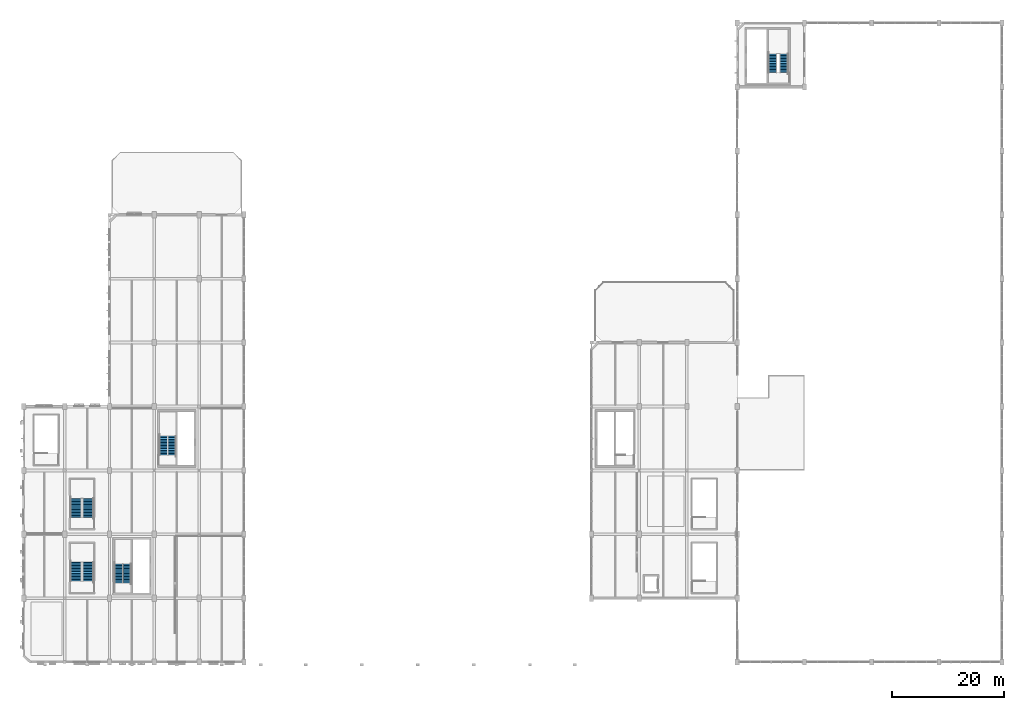
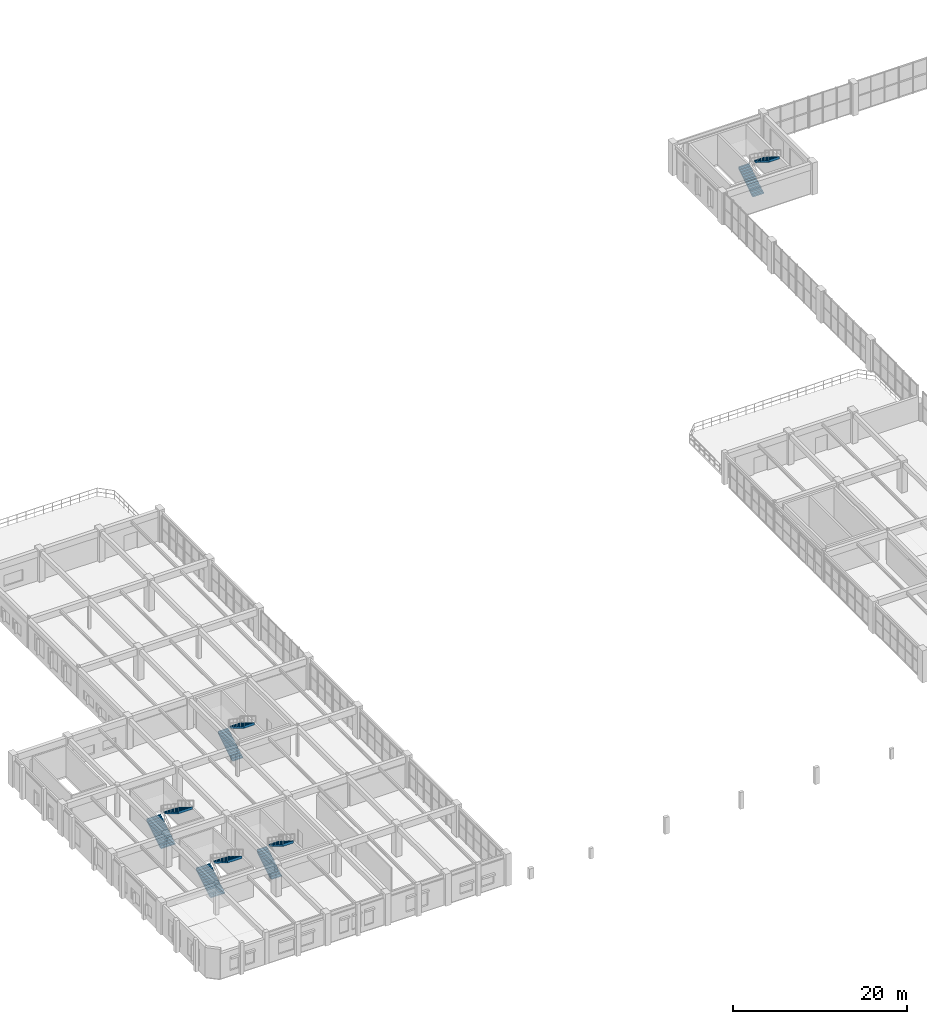
# One storey, part 70 of 80: 10 stair flights, 5 elements without a shape of their own.
"""IFC4 building model written with IfcOpenShell, lengths in metres."""

from ifc_helpers import new_model, si_unit, direction, frame, origin, place, context, subcontext, project, spatial, polyline, outline, extrude, material, type_object, element, aggregate, save


model = new_model("IFC4")

# Units and contexts
model_context = context("Model", 3, precision=1e-05, world=origin(), true_north=direction((0.0, 1.0)))
body_context = subcontext(model_context, "Body", "Model", "MODEL_VIEW")
ifc_project = project(units=[si_unit("LENGTHUNIT", "METRE"), si_unit("AREAUNIT", "SQUARE_METRE"), si_unit("VOLUMEUNIT", "CUBIC_METRE"), si_unit("PLANEANGLEUNIT", "RADIAN"), si_unit("MASSUNIT", "GRAM", prefix="KILO"), si_unit("POWERUNIT", "WATT"), si_unit("THERMODYNAMICTEMPERATUREUNIT", "KELVIN")], contexts=[model_context])

# Site, building, storey
site_placement = place(None, origin())
site = spatial("IfcSite", under=ifc_project, at=site_placement, CompositionType="ELEMENT")
building_placement = place(site_placement, origin())
building = spatial("IfcBuilding", under=site, at=building_placement, Name="Kelmbourne Parkland Aquatics Centre", CompositionType="ELEMENT")
storey_placement = place(building_placement, frame((0.0, 0.0, 10.199951171875)))
storey = spatial("IfcBuildingStorey", under=building, at=storey_placement, Name="L02", CompositionType="ELEMENT", Elevation=10.199951171875)

# Stair, stair flights
ifc_material = material(Name="Concrete C40/50", Category="concrete")
stair_type_1 = type_object("IfcStairType", Name="ST-T04", PredefinedType="HALF_TURN_STAIR", material=ifc_material)
stair_1_placement = place(storey_placement, origin())
stair_1 = element("IfcStair", 1, at=stair_1_placement, inside=storey, type_object=stair_type_1, Name="West Wing South Fire-Fighting Core Stair ST01 (L02)", PredefinedType="HALF_TURN_STAIR")
stair_flight_type_1 = type_object("IfcStairFlightType", Name="STF-T04", PredefinedType="STRAIGHT", material=ifc_material)
stair_flight_1_placement = place(storey_placement, frame((17.61376953125, 14.949951171875, 0.0), z_axis=(0.0, 0.0, 1.0), x_axis=(0.0, 1.0, 0.0)))
stair_flight_1 = element("IfcStairFlight", 2, at=stair_flight_1_placement, type_object=stair_flight_type_1, Name="West Wing South Fire-Fighting Core Stair ST01 lower flight (L02)", NumberOfRisers=13, NumberOfTreads=12, PredefinedType="STRAIGHT", RiserHeight=0.173077, TreadLength=0.28, context=body_context, shape_type="SweptSolid", body=[
    extrude(outline(polyline([(-0.008056640625, 0.0), (-0.008056640625, 0.034912109375), (0.0, 0.034912109375), (0.0, 0.173095703125), (0.280029296875, 0.173095703125), (0.280029296875, 0.34619140625), (0.56005859375, 0.34619140625), (0.56005859375, 0.519287109375), (0.840087890625, 0.519287109375), (0.840087890625, 0.6923828125), (1.1201171875, 0.6923828125), (1.1201171875, 0.865478515625), (1.39990234375, 0.865478515625), (1.39990234375, 1.03857421875), (1.679931640625, 1.03857421875), (1.679931640625, 1.21142578125), (1.9599609375, 1.21142578125), (1.9599609375, 1.384521484375), (2.239990234375, 1.384521484375), (2.239990234375, 1.5576171875), (2.52001953125, 1.5576171875), (2.52001953125, 1.730712890625), (2.800048828125, 1.730712890625), (2.800048828125, 1.90380859375), (3.080078125, 1.90380859375), (3.080078125, 2.076904296875), (3.360107421875, 2.076904296875), (3.360107421875, 2.25), (3.367919921875, 2.25), (3.367919921875, 2.110107421875), (3.360107421875, 1.888916015625), (0.30419921875, 0.0), (-0.008056640625, 0.0)])), frame((0.0, 0.69384765625, 0.0), z_axis=(0.0, -1.0, 0.0), x_axis=(1.0, 0.0, 0.0)), (0.0, 0.0, 1.0), 1.387451171875),
])
stair_flight_2_placement = place(storey_placement, frame((19.1611328125, 18.31005859375, 2.25), z_axis=(0.0, 0.0, 1.0), x_axis=(0.0, -1.0, 0.0)))
stair_flight_2 = element("IfcStairFlight", 3, at=stair_flight_2_placement, type_object=stair_flight_type_1, Name="West Wing South Fire-Fighting Core Stair ST01 upper flight (L02)", NumberOfRisers=13, NumberOfTreads=12, PredefinedType="STRAIGHT", RiserHeight=0.173077, TreadLength=0.28, context=body_context, shape_type="SweptSolid", body=[
    extrude(outline(polyline([(-0.008056640625, 0.0), (-0.008056640625, 0.034912109375), (0.0, 0.034912109375), (0.0, 0.173095703125), (0.280029296875, 0.173095703125), (0.280029296875, 0.34619140625), (0.56005859375, 0.34619140625), (0.56005859375, 0.519287109375), (0.840087890625, 0.519287109375), (0.840087890625, 0.6923828125), (1.1201171875, 0.6923828125), (1.1201171875, 0.865478515625), (1.39990234375, 0.865478515625), (1.39990234375, 1.03857421875), (1.679931640625, 1.03857421875), (1.679931640625, 1.21142578125), (1.9599609375, 1.21142578125), (1.9599609375, 1.384521484375), (2.239990234375, 1.384521484375), (2.239990234375, 1.5576171875), (2.52001953125, 1.5576171875), (2.52001953125, 1.730712890625), (2.800048828125, 1.730712890625), (2.800048828125, 1.90380859375), (3.080078125, 1.90380859375), (3.080078125, 2.076904296875), (3.360107421875, 2.076904296875), (3.360107421875, 2.25), (3.367919921875, 2.25), (3.367919921875, 2.110107421875), (3.360107421875, 1.888916015625), (0.30419921875, 0.0), (-0.008056640625, 0.0)])), frame((0.0, 0.69384765625, 0.0), z_axis=(0.0, -1.0, 0.0), x_axis=(1.0, 0.0, 0.0)), (0.0, 0.0, 1.0), 1.387451171875),
])
aggregate(stair_1, [stair_flight_1, stair_flight_2])

stair_type_2 = type_object("IfcStairType", Name="ST-T09", PredefinedType="HALF_TURN_STAIR", material=ifc_material)
stair_2_placement = place(storey_placement, origin())
stair_2 = element("IfcStair", 4, at=stair_2_placement, inside=storey, type_object=stair_type_2, Name="West Wing North Passenger Core Stair ST02 (L02)", PredefinedType="HALF_TURN_STAIR")
stair_flight_type_2 = type_object("IfcStairFlightType", Name="STF-T09", PredefinedType="STRAIGHT", material=ifc_material)
stair_flight_3_placement = place(storey_placement, frame((25.61376953125, 37.75, 0.0), z_axis=(0.0, 0.0, 1.0), x_axis=(0.0, 1.0, 0.0)))
stair_flight_3 = element("IfcStairFlight", 5, at=stair_flight_3_placement, type_object=stair_flight_type_2, Name="West Wing North Passenger Core Stair ST02 lower flight (L02)", NumberOfRisers=13, NumberOfTreads=12, PredefinedType="STRAIGHT", RiserHeight=0.173077, TreadLength=0.28, context=body_context, shape_type="SweptSolid", body=[
    extrude(outline(polyline([(-0.008056640625, 0.0), (-0.008056640625, 0.034912109375), (0.0, 0.034912109375), (0.0, 0.173095703125), (0.280029296875, 0.173095703125), (0.280029296875, 0.34619140625), (0.56005859375, 0.34619140625), (0.56005859375, 0.519287109375), (0.840087890625, 0.519287109375), (0.840087890625, 0.6923828125), (1.1201171875, 0.6923828125), (1.1201171875, 0.865478515625), (1.39990234375, 0.865478515625), (1.39990234375, 1.03857421875), (1.679931640625, 1.03857421875), (1.679931640625, 1.21142578125), (1.9599609375, 1.21142578125), (1.9599609375, 1.384521484375), (2.239990234375, 1.384521484375), (2.239990234375, 1.5576171875), (2.52001953125, 1.5576171875), (2.52001953125, 1.730712890625), (2.800048828125, 1.730712890625), (2.800048828125, 1.90380859375), (3.080078125, 1.90380859375), (3.080078125, 2.076904296875), (3.360107421875, 2.076904296875), (3.360107421875, 2.25), (3.367919921875, 2.25), (3.367919921875, 2.110107421875), (3.360107421875, 1.888916015625), (0.30419921875, 0.0), (-0.008056640625, 0.0)])), frame((0.0, 0.69384765625, 0.0), z_axis=(0.0, -1.0, 0.0), x_axis=(1.0, 0.0, 0.0)), (0.0, 0.0, 1.0), 1.387451171875),
])
stair_flight_4_placement = place(storey_placement, frame((27.1611328125, 41.110107421875, 2.25), z_axis=(0.0, 0.0, 1.0), x_axis=(0.0, -1.0, 0.0)))
stair_flight_4 = element("IfcStairFlight", 6, at=stair_flight_4_placement, type_object=stair_flight_type_2, Name="West Wing North Passenger Core Stair ST02 upper flight (L02)", NumberOfRisers=13, NumberOfTreads=12, PredefinedType="STRAIGHT", RiserHeight=0.173077, TreadLength=0.28, context=body_context, shape_type="SweptSolid", body=[
    extrude(outline(polyline([(-0.008056640625, 0.0), (-0.008056640625, 0.034912109375), (0.0, 0.034912109375), (0.0, 0.173095703125), (0.280029296875, 0.173095703125), (0.280029296875, 0.34619140625), (0.56005859375, 0.34619140625), (0.56005859375, 0.519287109375), (0.840087890625, 0.519287109375), (0.840087890625, 0.6923828125), (1.1201171875, 0.6923828125), (1.1201171875, 0.865478515625), (1.39990234375, 0.865478515625), (1.39990234375, 1.03857421875), (1.679931640625, 1.03857421875), (1.679931640625, 1.21142578125), (1.9599609375, 1.21142578125), (1.9599609375, 1.384521484375), (2.239990234375, 1.384521484375), (2.239990234375, 1.5576171875), (2.52001953125, 1.5576171875), (2.52001953125, 1.730712890625), (2.800048828125, 1.730712890625), (2.800048828125, 1.90380859375), (3.080078125, 1.90380859375), (3.080078125, 2.076904296875), (3.360107421875, 2.076904296875), (3.360107421875, 2.25), (3.367919921875, 2.25), (3.367919921875, 2.110107421875), (3.360107421875, 1.888916015625), (0.30419921875, 0.0), (-0.008056640625, 0.0)])), frame((0.0, 0.69384765625, 0.0), z_axis=(0.0, -1.0, 0.0), x_axis=(1.0, 0.0, 0.0)), (0.0, 0.0, 1.0), 1.387451171875),
])
aggregate(stair_2, [stair_flight_3, stair_flight_4])

stair_type_3 = type_object("IfcStairType", Name="ST-T18", PredefinedType="HALF_TURN_STAIR", material=ifc_material)
stair_3_placement = place(storey_placement, origin())
stair_3 = element("IfcStair", 7, at=stair_3_placement, inside=storey, type_object=stair_type_3, Name="North Diving Control Fire-Fighting Core Stair ST05 (L02)", PredefinedType="HALF_TURN_STAIR")
stair_flight_type_3 = type_object("IfcStairFlightType", Name="STF-T18", PredefinedType="STRAIGHT", material=ifc_material)
stair_flight_5_placement = place(storey_placement, frame((134.27001953125, 105.949951171875, 0.0), z_axis=(0.0, 0.0, 1.0), x_axis=(0.0, 1.0, 0.0)))
stair_flight_5 = element("IfcStairFlight", 8, at=stair_flight_5_placement, type_object=stair_flight_type_3, Name="North Diving Control Fire-Fighting Core Stair ST05 lower flight (L02)", NumberOfRisers=13, NumberOfTreads=12, PredefinedType="STRAIGHT", RiserHeight=0.173077, TreadLength=0.28, context=body_context, shape_type="SweptSolid", body=[
    extrude(outline(polyline([(-0.008056640625, 0.0), (-0.008056640625, 0.034912109375), (0.0, 0.034912109375), (0.0, 0.173095703125), (0.280029296875, 0.173095703125), (0.280029296875, 0.34619140625), (0.56005859375, 0.34619140625), (0.56005859375, 0.519287109375), (0.840087890625, 0.519287109375), (0.840087890625, 0.6923828125), (1.1201171875, 0.6923828125), (1.1201171875, 0.865478515625), (1.39990234375, 0.865478515625), (1.39990234375, 1.03857421875), (1.679931640625, 1.03857421875), (1.679931640625, 1.21142578125), (1.9599609375, 1.21142578125), (1.9599609375, 1.384521484375), (2.239990234375, 1.384521484375), (2.239990234375, 1.5576171875), (2.52001953125, 1.5576171875), (2.52001953125, 1.730712890625), (2.800048828125, 1.730712890625), (2.800048828125, 1.90380859375), (3.080078125, 1.90380859375), (3.080078125, 2.076904296875), (3.360107421875, 2.076904296875), (3.360107421875, 2.25), (3.367919921875, 2.25), (3.367919921875, 2.110107421875), (3.360107421875, 1.888916015625), (0.30419921875, 0.0), (-0.008056640625, 0.0)])), frame((0.0, 0.72509765625, 0.0), z_axis=(0.0, -1.0, 0.0), x_axis=(1.0, 0.0, 0.0)), (0.0, 0.0, 1.0), 1.449951171875),
])
stair_flight_6_placement = place(storey_placement, frame((136.35498046875, 109.31005859375, 2.25), z_axis=(0.0, 0.0, 1.0), x_axis=(0.0, -1.0, 0.0)))
stair_flight_6 = element("IfcStairFlight", 9, at=stair_flight_6_placement, type_object=stair_flight_type_3, Name="North Diving Control Fire-Fighting Core Stair ST05 upper flight (L02)", NumberOfRisers=13, NumberOfTreads=12, PredefinedType="STRAIGHT", RiserHeight=0.173077, TreadLength=0.28, context=body_context, shape_type="SweptSolid", body=[
    extrude(outline(polyline([(-0.008056640625, 0.0), (-0.008056640625, 0.034912109375), (0.0, 0.034912109375), (0.0, 0.173095703125), (0.280029296875, 0.173095703125), (0.280029296875, 0.34619140625), (0.56005859375, 0.34619140625), (0.56005859375, 0.519287109375), (0.840087890625, 0.519287109375), (0.840087890625, 0.6923828125), (1.1201171875, 0.6923828125), (1.1201171875, 0.865478515625), (1.39990234375, 0.865478515625), (1.39990234375, 1.03857421875), (1.679931640625, 1.03857421875), (1.679931640625, 1.21142578125), (1.9599609375, 1.21142578125), (1.9599609375, 1.384521484375), (2.239990234375, 1.384521484375), (2.239990234375, 1.5576171875), (2.52001953125, 1.5576171875), (2.52001953125, 1.730712890625), (2.800048828125, 1.730712890625), (2.800048828125, 1.90380859375), (3.080078125, 1.90380859375), (3.080078125, 2.076904296875), (3.360107421875, 2.076904296875), (3.360107421875, 2.25), (3.367919921875, 2.25), (3.367919921875, 2.110107421875), (3.360107421875, 1.888916015625), (0.30419921875, 0.0), (-0.008056640625, 0.0)])), frame((0.0, 0.72509765625, 0.0), z_axis=(0.0, -1.0, 0.0), x_axis=(1.0, 0.0, 0.0)), (0.0, 0.0, 1.0), 1.449951171875),
])
aggregate(stair_3, [stair_flight_5, stair_flight_6])

stair_type_4 = type_object("IfcStairType", Name="ST-T23", PredefinedType="HALF_TURN_STAIR", material=ifc_material)
stair_4_placement = place(storey_placement, origin())
stair_4 = element("IfcStair", 10, at=stair_4_placement, inside=storey, type_object=stair_type_4, Name="West South Perimeter Exit Stair (L02)", PredefinedType="HALF_TURN_STAIR")
stair_flight_type_4 = type_object("IfcStairFlightType", Name="STF-T23", PredefinedType="STRAIGHT", material=ifc_material)
stair_flight_7_placement = place(storey_placement, frame((9.969970703125, 15.25, 0.0), z_axis=(0.0, 0.0, 1.0), x_axis=(0.0, 1.0, 0.0)))
stair_flight_7 = element("IfcStairFlight", 11, at=stair_flight_7_placement, type_object=stair_flight_type_4, Name="West South Perimeter Exit Stair lower flight (L02)", NumberOfRisers=13, NumberOfTreads=12, PredefinedType="STRAIGHT", RiserHeight=0.173077, TreadLength=0.28, context=body_context, shape_type="SweptSolid", body=[
    extrude(outline(polyline([(-0.008056640625, 0.0), (-0.008056640625, 0.034912109375), (0.0, 0.034912109375), (0.0, 0.173095703125), (0.280029296875, 0.173095703125), (0.280029296875, 0.34619140625), (0.56005859375, 0.34619140625), (0.56005859375, 0.519287109375), (0.840087890625, 0.519287109375), (0.840087890625, 0.6923828125), (1.1201171875, 0.6923828125), (1.1201171875, 0.865478515625), (1.39990234375, 0.865478515625), (1.39990234375, 1.03857421875), (1.679931640625, 1.03857421875), (1.679931640625, 1.21142578125), (1.9599609375, 1.21142578125), (1.9599609375, 1.384521484375), (2.239990234375, 1.384521484375), (2.239990234375, 1.5576171875), (2.52001953125, 1.5576171875), (2.52001953125, 1.730712890625), (2.800048828125, 1.730712890625), (2.800048828125, 1.90380859375), (3.080078125, 1.90380859375), (3.080078125, 2.076904296875), (3.360107421875, 2.076904296875), (3.360107421875, 2.25), (3.367919921875, 2.25), (3.367919921875, 2.110107421875), (3.360107421875, 1.888916015625), (0.30419921875, 0.0), (-0.008056640625, 0.0)])), frame((0.0, 0.949951171875, 0.0), z_axis=(0.0, -1.0, 0.0), x_axis=(1.0, 0.0, 0.0)), (0.0, 0.0, 1.0), 1.89990234375),
])
stair_flight_8_placement = place(storey_placement, frame((12.22998046875, 18.610107421875, 2.25), z_axis=(0.0, 0.0, 1.0), x_axis=(0.0, -1.0, 0.0)))
stair_flight_8 = element("IfcStairFlight", 12, at=stair_flight_8_placement, type_object=stair_flight_type_4, Name="West South Perimeter Exit Stair upper flight (L02)", NumberOfRisers=13, NumberOfTreads=12, PredefinedType="STRAIGHT", RiserHeight=0.173077, TreadLength=0.28, context=body_context, shape_type="SweptSolid", body=[
    extrude(outline(polyline([(-0.008056640625, 0.0), (-0.008056640625, 0.034912109375), (0.0, 0.034912109375), (0.0, 0.173095703125), (0.280029296875, 0.173095703125), (0.280029296875, 0.34619140625), (0.56005859375, 0.34619140625), (0.56005859375, 0.519287109375), (0.840087890625, 0.519287109375), (0.840087890625, 0.6923828125), (1.1201171875, 0.6923828125), (1.1201171875, 0.865478515625), (1.39990234375, 0.865478515625), (1.39990234375, 1.03857421875), (1.679931640625, 1.03857421875), (1.679931640625, 1.21142578125), (1.9599609375, 1.21142578125), (1.9599609375, 1.384521484375), (2.239990234375, 1.384521484375), (2.239990234375, 1.5576171875), (2.52001953125, 1.5576171875), (2.52001953125, 1.730712890625), (2.800048828125, 1.730712890625), (2.800048828125, 1.90380859375), (3.080078125, 1.90380859375), (3.080078125, 2.076904296875), (3.360107421875, 2.076904296875), (3.360107421875, 2.25), (3.367919921875, 2.25), (3.367919921875, 2.110107421875), (3.360107421875, 1.888916015625), (0.30419921875, 0.0), (-0.008056640625, 0.0)])), frame((0.0, 0.949951171875, 0.0), z_axis=(0.0, -1.0, 0.0), x_axis=(1.0, 0.0, 0.0)), (0.0, 0.0, 1.0), 1.89990234375),
])
aggregate(stair_4, [stair_flight_7, stair_flight_8])

stair_type_5 = type_object("IfcStairType", Name="ST-T27", PredefinedType="HALF_TURN_STAIR", material=ifc_material)
stair_5_placement = place(storey_placement, origin())
stair_5 = element("IfcStair", 13, at=stair_5_placement, inside=storey, type_object=stair_type_5, Name="West Central Park Exit Stair (L02)", PredefinedType="HALF_TURN_STAIR")
stair_flight_type_5 = type_object("IfcStairFlightType", Name="STF-T27", PredefinedType="STRAIGHT", material=ifc_material)
stair_flight_9_placement = place(storey_placement, frame((9.969970703125, 26.64990234375, 0.0), z_axis=(0.0, 0.0, 1.0), x_axis=(0.0, 1.0, 0.0)))
stair_flight_9 = element("IfcStairFlight", 14, at=stair_flight_9_placement, type_object=stair_flight_type_5, Name="West Central Park Exit Stair lower flight (L02)", NumberOfRisers=13, NumberOfTreads=12, PredefinedType="STRAIGHT", RiserHeight=0.173077, TreadLength=0.28, context=body_context, shape_type="SweptSolid", body=[
    extrude(outline(polyline([(-0.008056640625, 0.0), (-0.008056640625, 0.034912109375), (0.0, 0.034912109375), (0.0, 0.173095703125), (0.280029296875, 0.173095703125), (0.280029296875, 0.34619140625), (0.56005859375, 0.34619140625), (0.56005859375, 0.519287109375), (0.840087890625, 0.519287109375), (0.840087890625, 0.6923828125), (1.1201171875, 0.6923828125), (1.1201171875, 0.865478515625), (1.39990234375, 0.865478515625), (1.39990234375, 1.03857421875), (1.679931640625, 1.03857421875), (1.679931640625, 1.21142578125), (1.9599609375, 1.21142578125), (1.9599609375, 1.384521484375), (2.239990234375, 1.384521484375), (2.239990234375, 1.5576171875), (2.52001953125, 1.5576171875), (2.52001953125, 1.730712890625), (2.800048828125, 1.730712890625), (2.800048828125, 1.90380859375), (3.080078125, 1.90380859375), (3.080078125, 2.076904296875), (3.360107421875, 2.076904296875), (3.360107421875, 2.25), (3.367919921875, 2.25), (3.367919921875, 2.110107421875), (3.360107421875, 1.888916015625), (0.30419921875, 0.0), (-0.008056640625, 0.0)])), frame((0.0, 0.949951171875, 0.0), z_axis=(0.0, -1.0, 0.0), x_axis=(1.0, 0.0, 0.0)), (0.0, 0.0, 1.0), 1.89990234375),
])
stair_flight_10_placement = place(storey_placement, frame((12.22998046875, 30.010009765625, 2.25), z_axis=(0.0, 0.0, 1.0), x_axis=(0.0, -1.0, 0.0)))
stair_flight_10 = element("IfcStairFlight", 15, at=stair_flight_10_placement, type_object=stair_flight_type_5, Name="West Central Park Exit Stair upper flight (L02)", NumberOfRisers=13, NumberOfTreads=12, PredefinedType="STRAIGHT", RiserHeight=0.173077, TreadLength=0.28, context=body_context, shape_type="SweptSolid", body=[
    extrude(outline(polyline([(-0.008056640625, 0.0), (-0.008056640625, 0.034912109375), (0.0, 0.034912109375), (0.0, 0.173095703125), (0.280029296875, 0.173095703125), (0.280029296875, 0.34619140625), (0.56005859375, 0.34619140625), (0.56005859375, 0.519287109375), (0.840087890625, 0.519287109375), (0.840087890625, 0.6923828125), (1.1201171875, 0.6923828125), (1.1201171875, 0.865478515625), (1.39990234375, 0.865478515625), (1.39990234375, 1.03857421875), (1.679931640625, 1.03857421875), (1.679931640625, 1.21142578125), (1.9599609375, 1.21142578125), (1.9599609375, 1.384521484375), (2.239990234375, 1.384521484375), (2.239990234375, 1.5576171875), (2.52001953125, 1.5576171875), (2.52001953125, 1.730712890625), (2.800048828125, 1.730712890625), (2.800048828125, 1.90380859375), (3.080078125, 1.90380859375), (3.080078125, 2.076904296875), (3.360107421875, 2.076904296875), (3.360107421875, 2.25), (3.367919921875, 2.25), (3.367919921875, 2.110107421875), (3.360107421875, 1.888916015625), (0.30419921875, 0.0), (-0.008056640625, 0.0)])), frame((0.0, 0.949951171875, 0.0), z_axis=(0.0, -1.0, 0.0), x_axis=(1.0, 0.0, 0.0)), (0.0, 0.0, 1.0), 1.89990234375),
])
aggregate(stair_5, [stair_flight_9, stair_flight_10])

save(model, "model.ifc")
